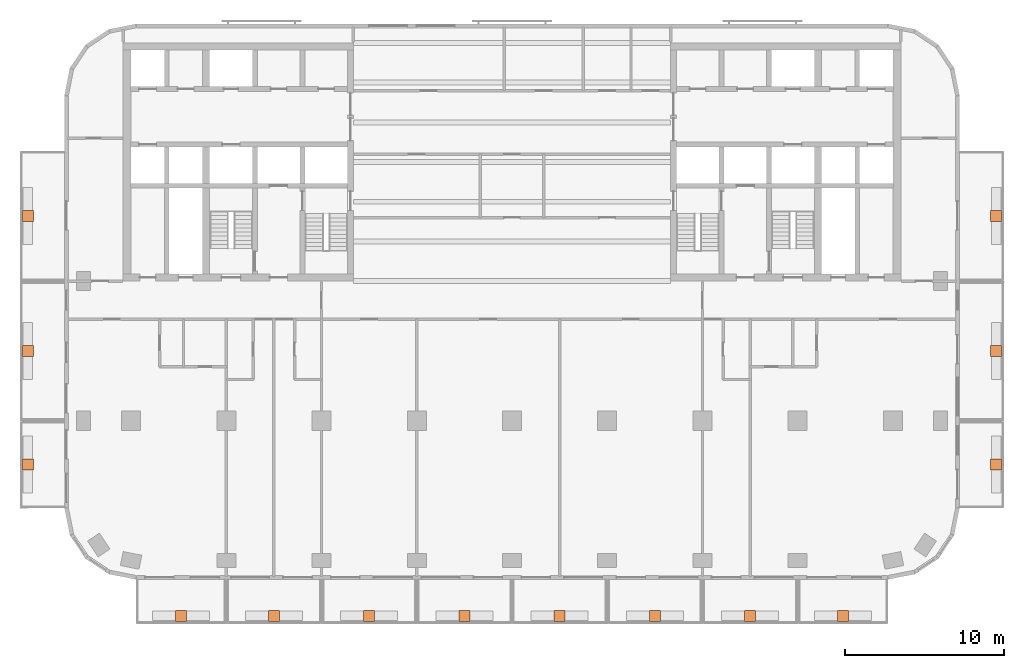
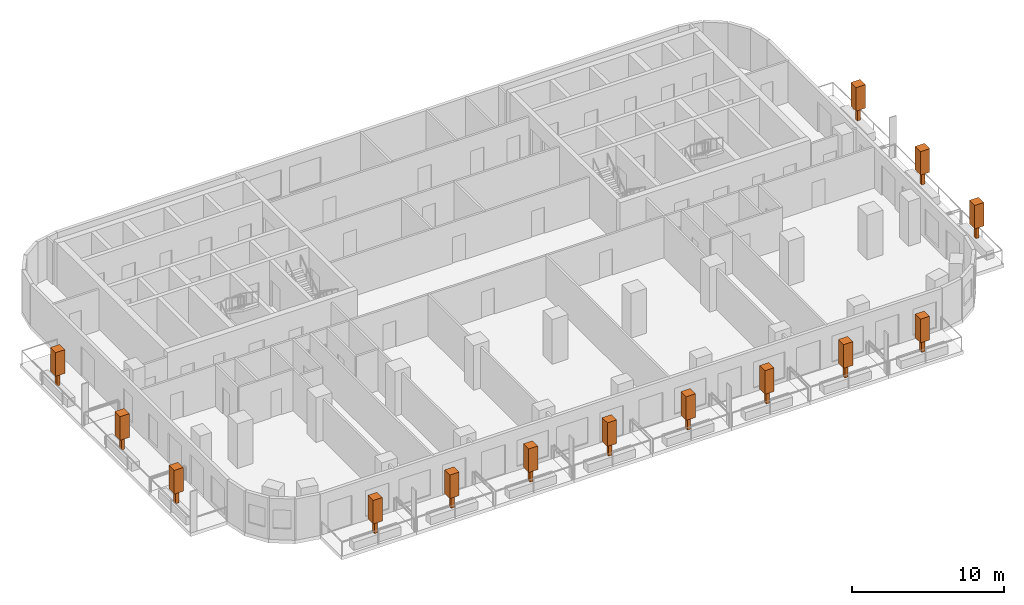
# One storey, part 11 of 11: 14 geographic elements.
"""IFC4 building model written with IfcOpenShell, lengths in metres."""

from ifc_helpers import new_model, si_unit, direction, frame, origin, origin_2d, place, context, subcontext, project, spatial, rectangle, extrude, material, element, save


model = new_model("IFC4")

# Units and contexts
model_context = context("Model", 3, precision=1e-05, world=origin(), true_north=direction((0.0, 1.0)))
body_context = subcontext(model_context, "Body", "Model", "MODEL_VIEW")
ifc_project = project(units=[si_unit("LENGTHUNIT", "METRE"), si_unit("AREAUNIT", "SQUARE_METRE"), si_unit("VOLUMEUNIT", "CUBIC_METRE"), si_unit("PLANEANGLEUNIT", "RADIAN"), si_unit("MASSUNIT", "GRAM", prefix="KILO")], contexts=[model_context])

# Site, building, storey
site_placement = place(None, origin())
site = spatial("IfcSite", under=ifc_project, at=site_placement, CompositionType="ELEMENT")
building_placement = place(site_placement, origin())
building = spatial("IfcBuilding", under=site, at=building_placement, Name="Torana Hotel and Residences", CompositionType="ELEMENT")
storey_placement = place(building_placement, frame((0.0, 0.0, 141.60009765625)))
storey = spatial("IfcBuildingStorey", under=building, at=storey_placement, Name="L36", CompositionType="ELEMENT", Elevation=141.60009765625)

# Geographic elements
ifc_material = material(Name="Foliage", Category="planting")
for number, where, z_axis, x_axis, name in (
    (1, (-20.85009765625, -36.10009765625, 0.64990234375), (0.0, 0.0, 1.0), (1.0, 0.0, 0.0), "Tree 01"),
    (2, (-15.0, -36.10009765625, 0.64990234375), (0.0, 0.0, 1.0), (1.0, 0.0, 0.0), "Tree 02"),
    (3, (-9.0, -36.10009765625, 0.64990234375), (0.0, 0.0, 1.0), (1.0, 0.0, 0.0), "Tree 03"),
    (4, (-3.0, -36.10009765625, 0.64990234375), (0.0, 0.0, 1.0), (1.0, 0.0, 0.0), "Tree 04"),
    (5, (3.0, -36.10009765625, 0.64990234375), (0.0, 0.0, 1.0), (1.0, 0.0, 0.0), "Tree 05"),
    (6, (9.0, -36.10009765625, 0.64990234375), (0.0, 0.0, 1.0), (1.0, 0.0, 0.0), "Tree 06"),
    (7, (15.0, -36.10009765625, 0.64990234375), (0.0, 0.0, 1.0), (1.0, 0.0, 0.0), "Tree 07"),
    (8, (20.85009765625, -36.10009765625, 0.64990234375), (0.0, 0.0, 1.0), (1.0, 0.0, 0.0), "Tree 08"),
    (9, (-30.5, -26.550048828125, 0.64990234375), (0.0, 0.0, 1.0), (1.0, 0.0, 0.0), "Tree 09"),
    (10, (-30.5, -19.39990234375, 0.64990234375), (0.0, 0.0, 1.0), (1.0, 0.0, 0.0), "Tree 10"),
    (11, (-30.5, -10.89990234375, 0.64990234375), (0.0, 0.0, 1.0), (1.0, 0.0, 0.0), "Tree 11"),
    (12, (30.5, -26.550048828125, 0.64990234375), (0.0, 0.0, 1.0), (1.0, 0.0, 0.0), "Tree 12"),
    (13, (30.5, -19.39990234375, 0.64990234375), (0.0, 0.0, 1.0), (1.0, 0.0, 0.0), "Tree 13"),
    (14, (30.5, -10.89990234375, 0.64990234375), (0.0, 0.0, 1.0), (1.0, 0.0, 0.0), "Tree 14"),
):
    element("IfcGeographicElement", number, at=place(storey_placement, frame(where, z_axis=z_axis, x_axis=x_axis)), inside=storey, material=ifc_material, Name=name, ObjectType="TREE", PredefinedType="USERDEFINED", context=body_context, shape_type="SweptSolid", body=[
        extrude(rectangle(XDim=0.25, YDim=0.25, at=origin_2d()), origin(), (0.0, 0.0, 1.0), 1.0),
        extrude(rectangle(XDim=0.699951171875, YDim=0.699951171875, at=origin_2d()), frame((0.0, 0.0, 1.0)), (0.0, 0.0, 1.0), 1.89990234375),
    ])

save(model, "model.ifc")
